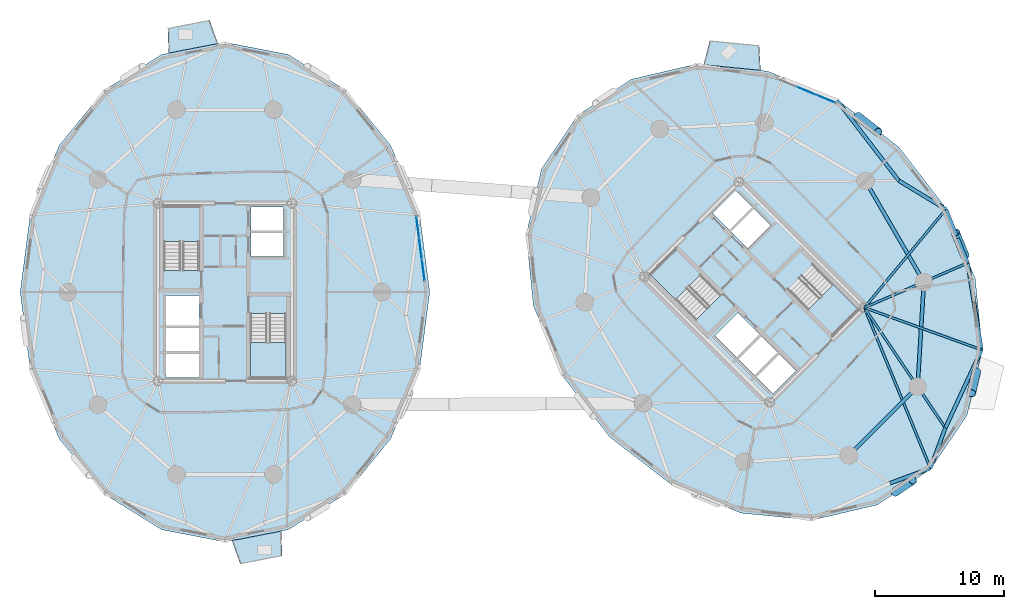
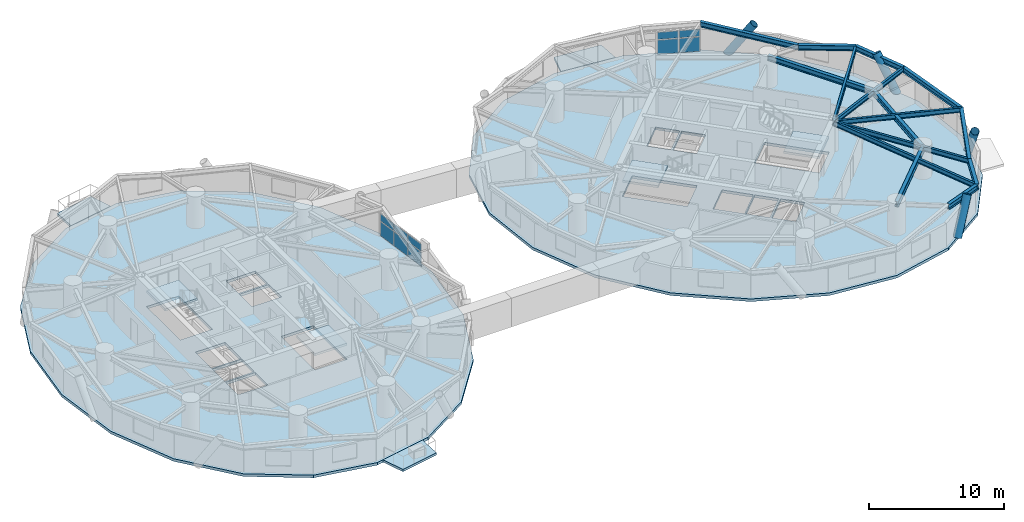
# One storey, part 8 of 18: 15 beams, 10 plates, 9 slabs, 4 members, 6 elements without a shape of their own.
"""IFC4 building model written with IfcOpenShell, lengths in metres."""

from ifc_helpers import new_model, si_unit, direction, frame, origin, origin_2d, place, context, subcontext, project, spatial, polyline, rectangle, hollow_circle, i_section, outline, extrude, source, transform, mapped, material, layer, layer_set, material_profile, profile_set, type_object, element, aggregate, save


model = new_model("IFC4")

# Units and contexts
model_context = context("Model", 3, precision=1e-05, world=origin(), true_north=direction((0.0, 1.0)))
body_context = subcontext(model_context, "Body", "Model", "MODEL_VIEW")
ifc_project = project(units=[si_unit("LENGTHUNIT", "METRE"), si_unit("AREAUNIT", "SQUARE_METRE"), si_unit("VOLUMEUNIT", "CUBIC_METRE"), si_unit("PLANEANGLEUNIT", "RADIAN"), si_unit("MASSUNIT", "GRAM", prefix="KILO")], contexts=[model_context])

# Site, building, storey
site_placement = place(None, origin())
site = spatial("IfcSite", under=ifc_project, at=site_placement, CompositionType="ELEMENT")
building_placement = place(site_placement, origin())
building = spatial("IfcBuilding", under=site, at=building_placement, Name="Cununo Teusaquillo Station Towers", CompositionType="ELEMENT")
storey_placement = place(building_placement, frame((0.0, 0.0, 122.530029296875)))
storey = spatial("IfcBuildingStorey", under=building, at=storey_placement, Name="L39", CompositionType="ELEMENT", Elevation=122.530029296875)

# Beams
ifc_material_1 = material(Name="Steel ASTM A572 Grade 50", Category="steel")
ifc_material_profile_1 = material_profile(ifc_material_1, i_section(OverallWidth=0.180908203125, OverallDepth=0.4169921875, WebThickness=0.010986328125, FlangeThickness=0.018310546875, FilletRadius=0.012939453125, at=origin_2d()), Name="W16X57")
ifc_profile_set_1 = profile_set([ifc_material_profile_1], Name="Steel ASTM A572 Grade 50")
beam_type_1 = type_object("IfcBeamType", Name="BM-JOIST-1", PredefinedType="JOIST", material=ifc_profile_set_1)
beam_1_placement = place(storey_placement, frame((66.024169921875, 23.29443359375, 2.42138671875), z_axis=(0.380485864505, -0.924786735908, 0.0), x_axis=(0.924786735908, 0.380485864505, 0.0)))
element("IfcBeam", 1, at=beam_1_placement, inside=storey, type_object=beam_type_1, Name="L39 Tower B Radial Spandrel Joist V15", PredefinedType="JOIST", context=body_context, shape_type="SweptSolid", body=[
    extrude(i_section(OverallWidth=0.180908203125, OverallDepth=0.4169921875, WebThickness=0.010986328125, FlangeThickness=0.018310546875, FilletRadius=0.012939453125, at=origin_2d()), origin(), (0.0, 0.0, 1.0), 13.44580078125),
])
beam_2_placement = place(storey_placement, frame((66.024169921875, 23.29443359375, 2.42138671875), z_axis=(0.941082771055, -0.338176312038, 0.0), x_axis=(0.338176312038, 0.941082771055, 0.0)))
element("IfcBeam", 2, at=beam_2_placement, inside=storey, type_object=beam_type_1, Name="L39 Tower B Radial Spandrel Joist V17", PredefinedType="JOIST", context=body_context, shape_type="SweptSolid", body=[
    extrude(i_section(OverallWidth=0.180908203125, OverallDepth=0.4169921875, WebThickness=0.010986328125, FlangeThickness=0.018310546875, FilletRadius=0.012939453125, at=origin_2d()), origin(), (0.0, 0.0, 1.0), 9.646484375),
])
beam_3_placement = place(storey_placement, frame((66.024169921875, 23.29443359375, 2.42138671875), z_axis=(0.638372238196, 0.769727799615, 0.0), x_axis=(-0.769727799615, 0.638372238196, 0.0)))
element("IfcBeam", 3, at=beam_3_placement, inside=storey, type_object=beam_type_1, Name="L39 Tower B Radial Spandrel Joist V19", PredefinedType="JOIST", context=body_context, shape_type="SweptSolid", body=[
    extrude(i_section(OverallWidth=0.180908203125, OverallDepth=0.4169921875, WebThickness=0.010986328125, FlangeThickness=0.018310546875, FilletRadius=0.012939453125, at=origin_2d()), origin(), (0.0, 0.0, 1.0), 9.895263671875),
])
ifc_material_2 = material(Name="Steel ASTM A572 Grade 50", Category="steel")
ifc_material_profile_2 = material_profile(ifc_material_2, i_section(OverallWidth=0.180908203125, OverallDepth=0.4169921875, WebThickness=0.010986328125, FlangeThickness=0.018310546875, FilletRadius=0.012939453125, at=origin_2d()), Name="W16X57")
ifc_profile_set_2 = profile_set([ifc_material_profile_2], Name="Steel ASTM A572 Grade 50")
beam_type_2 = type_object("IfcBeamType", Name="BM-RAD-G2", PredefinedType="BEAM", material=ifc_profile_set_2)
beam_4_placement = place(storey_placement, frame((66.024169921875, 23.29443359375, 2.42138671875), z_axis=(0.558572297481, -0.82945583878, 0.0), x_axis=(0.82945583878, 0.558572297481, 0.0)))
element("IfcBeam", 4, at=beam_4_placement, inside=storey, type_object=beam_type_2, Name="L39 Tower B Continuous Overhanging Radial Girder 09", PredefinedType="BEAM", context=body_context, shape_type="SweptSolid", body=[
    extrude(i_section(OverallWidth=0.180908203125, OverallDepth=0.4169921875, WebThickness=0.010986328125, FlangeThickness=0.018310546875, FilletRadius=0.012939453125, at=origin_2d()), origin(), (0.0, 0.0, 1.0), 11.22998046875),
])
beam_5_placement = place(storey_placement, frame((66.024169921875, 23.29443359375, 2.42138671875), z_axis=(0.917654733344, 0.397378648609, 0.0), x_axis=(-0.397378648609, 0.917654733344, 0.0)))
element("IfcBeam", 5, at=beam_5_placement, inside=storey, type_object=beam_type_2, Name="L39 Tower B Continuous Overhanging Radial Girder 10", PredefinedType="BEAM", context=body_context, shape_type="SweptSolid", body=[
    extrude(i_section(OverallWidth=0.180908203125, OverallDepth=0.4169921875, WebThickness=0.010986328125, FlangeThickness=0.018310546875, FilletRadius=0.012939453125, at=origin_2d()), origin(), (0.0, 0.0, 1.0), 8.71484375),
])
ifc_material_3 = material(Name="Steel ASTM A572 Grade 50", Category="steel")
ifc_material_profile_3 = material_profile(ifc_material_3, i_section(OverallWidth=0.280029296875, OverallDepth=0.462890625, WebThickness=0.0107421875, FlangeThickness=0.017333984375, FilletRadius=0.013916015625, at=origin_2d()), Name="W18X76")
ifc_profile_set_3 = profile_set([ifc_material_profile_3], Name="Steel ASTM A572 Grade 50")
beam_type_3 = type_object("IfcBeamType", Name="BM-RING-Z2", PredefinedType="SPANDREL", material=ifc_profile_set_3)
beam_6_placement = place(storey_placement, frame((64.826904296875, 11.853759765625, 2.3984375), z_axis=(0.707106781187, 0.707106781187, 0.0), x_axis=(-0.707106781187, 0.707106781187, 0.0)))
element("IfcBeam", 6, at=beam_6_placement, inside=storey, type_object=beam_type_3, Name="L39 Tower B Structural Column Ring Girder 08", PredefinedType="SPANDREL", context=body_context, shape_type="SweptSolid", body=[
    extrude(i_section(OverallWidth=0.280029296875, OverallDepth=0.462890625, WebThickness=0.0107421875, FlangeThickness=0.017333984375, FilletRadius=0.013916015625, at=origin_2d()), origin(), (0.0, 0.0, 1.0), 7.522705078125),
])
beam_7_placement = place(storey_placement, frame((70.146240234375, 17.173095703125, 2.3984375), z_axis=(0.06012979176, 0.998190567048, 0.0), x_axis=(-0.998190567048, 0.06012979176, 0.0)))
element("IfcBeam", 7, at=beam_7_placement, inside=storey, type_object=beam_type_3, Name="L39 Tower B Structural Column Ring Girder 09", PredefinedType="SPANDREL", context=body_context, shape_type="SweptSolid", body=[
    extrude(i_section(OverallWidth=0.280029296875, OverallDepth=0.462890625, WebThickness=0.0107421875, FlangeThickness=0.017333984375, FilletRadius=0.013916015625, at=origin_2d()), origin(), (0.0, 0.0, 1.0), 8.132568359375),
])
beam_8_placement = place(storey_placement, frame((70.63525390625, 25.291015625, 2.3984375), z_axis=(-0.501311121078, 0.865267103202, 0.0), x_axis=(-0.865267103202, -0.501311121078, 0.0)))
element("IfcBeam", 8, at=beam_8_placement, inside=storey, type_object=beam_type_3, Name="L39 Tower B Structural Column Ring Girder 10", PredefinedType="SPANDREL", context=body_context, shape_type="SweptSolid", body=[
    extrude(i_section(OverallWidth=0.280029296875, OverallDepth=0.462890625, WebThickness=0.0107421875, FlangeThickness=0.017333984375, FilletRadius=0.013916015625, at=origin_2d()), origin(), (0.0, 0.0, 1.0), 9.032958984375),
])
beam_9_placement = place(storey_placement, frame((68.694580078125, 33.12890625, 2.3984375), z_axis=(-0.610100441726, 0.792324082056, 0.0), x_axis=(-0.792324082056, -0.610100441726, 0.0)))
element("IfcBeam", 9, at=beam_9_placement, inside=storey, type_object=beam_type_3, Name="L39 Tower B Spandrel Ring Beam 01", PredefinedType="SPANDREL", context=body_context, shape_type="SweptSolid", body=[
    extrude(i_section(OverallWidth=0.280029296875, OverallDepth=0.462890625, WebThickness=0.0107421875, FlangeThickness=0.017333984375, FilletRadius=0.013916015625, at=origin_2d()), origin(), (0.0, 0.0, 1.0), 7.84033203125),
])
for number, where, z_axis, x_axis, name in (
    (10, (68.020263671875, 9.703125, 2.3984375), (0.937628334414, 0.347639333943, 0.0), (-0.347639333943, 0.937628334414, 0.0), "L39 Tower B Spandrel Ring Beam 15"),
    (11, (71.14013671875, 10.85986328125, 2.3984375), (0.347639333943, 0.937628334414, 0.0), (-0.937628334414, 0.347639333943, 0.0), "L39 Tower B Spandrel Ring Beam 16"),
):
    element("IfcBeam", number, at=place(storey_placement, frame(where, z_axis=z_axis, x_axis=x_axis)), inside=storey, type_object=beam_type_3, Name=name, PredefinedType="SPANDREL", context=body_context, shape_type="SweptSolid", body=[
        extrude(i_section(OverallWidth=0.280029296875, OverallDepth=0.462890625, WebThickness=0.0107421875, FlangeThickness=0.017333984375, FilletRadius=0.013916015625, at=origin_2d()), origin(), (0.0, 0.0, 1.0), 3.327392578125),
    ])
beam_10_placement = place(storey_placement, frame((72.296875, 13.979736328125, 2.3984375), z_axis=(0.420535961689, 0.907275870354, 0.0), x_axis=(-0.907275870354, 0.420535961689, 0.0)))
element("IfcBeam", 12, at=beam_10_placement, inside=storey, type_object=beam_type_3, Name="L39 Tower B Spandrel Ring Beam 17", PredefinedType="SPANDREL", context=body_context, shape_type="SweptSolid", body=[
    extrude(i_section(OverallWidth=0.280029296875, OverallDepth=0.462890625, WebThickness=0.0107421875, FlangeThickness=0.017333984375, FilletRadius=0.013916015625, at=origin_2d()), origin(), (0.0, 0.0, 1.0), 6.671142578125),
])
beam_11_placement = place(storey_placement, frame((75.102294921875, 20.0322265625, 2.3984375), z_axis=(-0.158671232312, 0.987331474246, 0.0), x_axis=(-0.987331474246, -0.158671232312, 0.0)))
element("IfcBeam", 13, at=beam_11_placement, inside=storey, type_object=beam_type_3, Name="L39 Tower B Spandrel Ring Beam 18", PredefinedType="SPANDREL", context=body_context, shape_type="SweptSolid", body=[
    extrude(i_section(OverallWidth=0.280029296875, OverallDepth=0.462890625, WebThickness=0.0107421875, FlangeThickness=0.017333984375, FilletRadius=0.013916015625, at=origin_2d()), origin(), (0.0, 0.0, 1.0), 6.8115234375),
])
beam_12_placement = place(storey_placement, frame((74.021484375, 26.757568359375, 2.3984375), z_axis=(-0.375042266631, 0.927007712072, 0.0), x_axis=(-0.927007712072, -0.375042266631, 0.0)))
element("IfcBeam", 14, at=beam_12_placement, inside=storey, type_object=beam_type_3, Name="L39 Tower B Spandrel Ring Beam 19", PredefinedType="SPANDREL", context=body_context, shape_type="SweptSolid", body=[
    extrude(i_section(OverallWidth=0.280029296875, OverallDepth=0.462890625, WebThickness=0.0107421875, FlangeThickness=0.017333984375, FilletRadius=0.013916015625, at=origin_2d()), origin(), (0.0, 0.0, 1.0), 4.480712890625),
])
beam_13_placement = place(storey_placement, frame((72.341064453125, 30.9111328125, 2.3984375), z_axis=(-0.854388492444, 0.519634779416, 0.0), x_axis=(-0.519634779416, -0.854388492444, 0.0)))
element("IfcBeam", 15, at=beam_13_placement, inside=storey, type_object=beam_type_3, Name="L39 Tower B Spandrel Ring Beam 20", PredefinedType="SPANDREL", context=body_context, shape_type="SweptSolid", body=[
    extrude(i_section(OverallWidth=0.280029296875, OverallDepth=0.462890625, WebThickness=0.0107421875, FlangeThickness=0.017333984375, FilletRadius=0.013916015625, at=origin_2d()), origin(), (0.0, 0.0, 1.0), 4.26806640625),
])

# Members
ifc_material_4 = material(Name="Steel EN 10025-2 S355J2", Category="steel")
ifc_material_profile_4 = material_profile(ifc_material_4, hollow_circle(Radius=0.330078125, WallThickness=0.02490234375, at=origin_2d()), Name="CHS 660x25")
ifc_profile_set_4 = profile_set([ifc_material_profile_4], Name="Steel EN 10025-2 S355J2")
member_type = type_object("IfcMemberType", Name="MBR-DIAG-Z2", PredefinedType="BRACE", material=ifc_profile_set_4)
member_1_placement = place(storey_placement, frame((65.498291015625, 38.118408203125, -0.14013671875), z_axis=(0.449277419576, -0.346044496653, 0.823652236442), x_axis=(0.610205273886, 0.792243348803, 0.0)))
element("IfcMember", 16, at=member_1_placement, inside=storey, type_object=member_type, Name="L39 Tower B Folded-Zigzag Diagrid Tube C00", PredefinedType="BRACE", context=body_context, shape_type="SweptSolid", body=[
    extrude(hollow_circle(Radius=0.330078125, WallThickness=0.02490234375, at=origin_2d()), origin(), (0.0, 0.0, 1.0), 3.533203125),
])
member_2_placement = place(storey_placement, frame((68.393310546875, 9.003173828125, -0.14013671875), z_axis=(0.410046606979, 0.277155057731, 0.868934320924), x_axis=(-0.559991322854, 0.828498472134, 0.0)))
element("IfcMember", 17, at=member_2_placement, inside=storey, type_object=member_type, Name="L39 Tower B Folded-Zigzag Diagrid Tube C14", PredefinedType="BRACE", context=body_context, shape_type="SweptSolid", body=[
    extrude(hollow_circle(Radius=0.330078125, WallThickness=0.02490234375, at=origin_2d()), origin(), (0.0, 0.0, 1.0), 3.34912109375),
])
member_3_placement = place(storey_placement, frame((74.7099609375, 18.348388671875, -0.14013671875), z_axis=(-0.115899426578, -0.497494862811, 0.859689586069), x_axis=(0.973920299704, -0.226890391653, 0.0)))
element("IfcMember", 18, at=member_3_placement, inside=storey, type_object=member_type, Name="L39 Tower B Folded-Zigzag Diagrid Tube C16", PredefinedType="BRACE", context=body_context, shape_type="SweptSolid", body=[
    extrude(hollow_circle(Radius=0.330078125, WallThickness=0.02490234375, at=origin_2d()), origin(), (0.0, 0.0, 1.0), 3.385009765625),
])
member_4_placement = place(storey_placement, frame((73.818115234375, 27.318115234375, -0.14013671875), z_axis=(-0.211081064796, 0.513432884221, 0.831764063593), x_axis=(-0.924888817599, -0.380237656053, 0.0)))
element("IfcMember", 19, at=member_4_placement, inside=storey, type_object=member_type, Name="L39 Tower B Folded-Zigzag Diagrid Tube C18", PredefinedType="BRACE", context=body_context, shape_type="SweptSolid", body=[
    extrude(hollow_circle(Radius=0.330078125, WallThickness=0.02490234375, at=origin_2d()), origin(), (0.0, 0.0, 1.0), 3.498779296875),
])

# Slabs
ifc_material_5 = material(Name="Concrete C50/60", Category="concrete")
ifc_layer_1 = layer(ifc_material_5, 0.2099609375)
ifc_layer_set_1 = layer_set([ifc_layer_1], Name="Concrete C50/60")
slab_type_1 = type_object("IfcSlabType", Name="SLB-BAL-210", PredefinedType="FLOOR", material=ifc_layer_set_1)
slab_1_placement = place(storey_placement, frame((0.0, 0.0, -0.2099609375)))
element("IfcSlab", 20, at=slab_1_placement, inside=storey, type_object=slab_type_1, Name="L39 Tower A Tree Balcony Slab 1", PredefinedType="FLOOR", context=body_context, shape_type="SweptSolid", body=[
    extrude(outline(polyline([(15.958984375, 43.75048828125), (12.1376953125, 43.01220703125), (12.069091796875, 44.94921875), (15.30126953125, 45.573974609375), (15.958984375, 43.75048828125)])), origin(), (0.0, 0.0, 1.0), 0.2099609375),
])
slab_2_placement = place(storey_placement, frame((0.0, 0.0, -0.2099609375)))
element("IfcSlab", 21, at=slab_2_placement, inside=storey, type_object=slab_type_1, Name="L39 Tower A Tree Balcony Slab 2", PredefinedType="FLOOR", context=body_context, shape_type="SweptSolid", body=[
    extrude(outline(polyline([(17.041015625, 5.24951171875), (20.8623046875, 5.98779296875), (20.930908203125, 4.05078125), (17.69873046875, 3.426025390625), (17.041015625, 5.24951171875)])), origin(), (0.0, 0.0, 1.0), 0.2099609375),
])
slab_3_placement = place(storey_placement, frame((0.0, 0.0, -0.2099609375)))
element("IfcSlab", 22, at=slab_3_placement, inside=storey, type_object=slab_type_1, Name="L39 Tower B Tree Balcony Slab 1", PredefinedType="FLOOR", context=body_context, shape_type="SweptSolid", body=[
    extrude(outline(polyline([(57.984375, 41.675048828125), (53.57080078125, 42.1123046875), (54.05810546875, 43.988525390625), (57.87451171875, 43.6103515625), (57.984375, 41.675048828125)])), origin(), (0.0, 0.0, 1.0), 0.2099609375),
])

# Stair, slab
ifc_material_6 = material(Name="Concrete C50/60", Category="concrete")
stair_type = type_object("IfcStairType", Name="ST-TWR-1300", PredefinedType="HALF_TURN_STAIR", material=ifc_material_6)
stair_1_placement = place(storey_placement, origin())
stair_1 = element("IfcStair", 23, at=stair_1_placement, inside=storey, type_object=stair_type, Name="L39 Tower A Protected Core Exit Stair 1", PredefinedType="HALF_TURN_STAIR")
ifc_material_7 = material(Name="Concrete C50/60", Category="concrete")
ifc_layer_2 = layer(ifc_material_7, 0.199951171875)
ifc_layer_set_2 = layer_set([ifc_layer_2], Name="Concrete C50/60")
slab_type_2 = type_object("IfcSlabType", Name="SLB-STAIR-LND", PredefinedType="LANDING", material=ifc_layer_set_2)
slab_4_placement = place(storey_placement, frame((0.0, 0.0, 1.2548828125)))
slab_4 = element("IfcSlab", 24, at=slab_4_placement, type_object=slab_type_2, Name="ST-T1-1 landing 1", PredefinedType="LANDING", context=body_context, shape_type="SweptSolid", body=[
    extrude(outline(polyline([(14.52001953125, 28.409912109375), (14.52001953125, 31.159912109375), (11.760009765625, 31.159912109375), (11.760009765625, 28.409912109375), (14.52001953125, 28.409912109375)])), origin(), (0.0, 0.0, 1.0), 0.2001953125),
])
aggregate(stair_1, [slab_4])

stair_2_placement = place(storey_placement, origin())
stair_2 = element("IfcStair", 25, at=stair_2_placement, inside=storey, type_object=stair_type, Name="L39 Tower A Protected Core Exit Stair 2", PredefinedType="HALF_TURN_STAIR")
slab_5_placement = place(storey_placement, frame((0.0, 0.0, 1.2548828125)))
slab_5 = element("IfcSlab", 26, at=slab_5_placement, type_object=slab_type_2, Name="ST-T1-2 landing 1", PredefinedType="LANDING", context=body_context, shape_type="SweptSolid", body=[
    extrude(outline(polyline([(18.47998046875, 20.590087890625), (18.47998046875, 17.840087890625), (21.239990234375, 17.840087890625), (21.239990234375, 20.590087890625), (18.47998046875, 20.590087890625)])), origin(), (0.0, 0.0, 1.0), 0.2001953125),
])
aggregate(stair_2, [slab_5])

stair_3_placement = place(storey_placement, origin())
stair_3 = element("IfcStair", 27, at=stair_3_placement, inside=storey, type_object=stair_type, Name="L39 Tower B Protected Core Exit Stair 1", PredefinedType="HALF_TURN_STAIR")
slab_6_placement = place(storey_placement, frame((0.0, 0.0, 1.2548828125)))
slab_6 = element("IfcSlab", 28, at=slab_6_placement, type_object=slab_type_2, Name="ST-T2-1 landing 1", PredefinedType="LANDING", context=body_context, shape_type="SweptSolid", body=[
    extrude(outline(polyline([(53.335205078125, 25.86474609375), (51.390625, 27.809326171875), (49.43896484375, 25.857666015625), (51.383544921875, 23.9130859375), (53.335205078125, 25.86474609375)])), origin(), (0.0, 0.0, 1.0), 0.2001953125),
])
aggregate(stair_3, [slab_6])

stair_4_placement = place(storey_placement, origin())
stair_4 = element("IfcStair", 29, at=stair_4_placement, inside=storey, type_object=stair_type, Name="L39 Tower B Protected Core Exit Stair 2", PredefinedType="HALF_TURN_STAIR")
slab_7_placement = place(storey_placement, frame((0.0, 0.0, 1.2548828125)))
slab_7 = element("IfcSlab", 30, at=slab_7_placement, type_object=slab_type_2, Name="ST-T2-2 landing 1", PredefinedType="LANDING", context=body_context, shape_type="SweptSolid", body=[
    extrude(outline(polyline([(61.664794921875, 23.13525390625), (63.609375, 21.190673828125), (65.56103515625, 23.142333984375), (63.616455078125, 25.0869140625), (61.664794921875, 23.13525390625)])), origin(), (0.0, 0.0, 1.0), 0.2001953125),
])
aggregate(stair_4, [slab_7])

# Slabs
ifc_material_8 = material(Name="Concrete C40/50", Category="concrete")
ifc_layer_3 = layer(ifc_material_8, 0.239990234375)
ifc_layer_set_3 = layer_set([ifc_layer_3], Name="Concrete C40/50")
slab_type_3 = type_object("IfcSlabType", Name="SLB-Z2-240", PredefinedType="FLOOR", material=ifc_layer_set_3)
slab_8_placement = place(storey_placement, frame((0.0, 0.0, -0.239990234375)))
element("IfcSlab", 31, at=slab_8_placement, inside=storey, type_object=slab_type_3, Name="L39 Tower A Floor Slab", PredefinedType="FLOOR", context=body_context, shape_type="SweptSolid", body=[
    extrude(outline(polyline([(32.361083984375, 24.5), (31.584716796875, 30.4794921875), (29.331787109375, 35.87353515625), (25.822998046875, 40.154541015625), (21.4013671875, 42.90283203125), (16.5, 43.85009765625), (11.5986328125, 42.90283203125), (7.177001953125, 40.154541015625), (3.668212890625, 35.87353515625), (1.415283203125, 30.4794921875), (0.638916015625, 24.5), (1.415283203125, 18.5205078125), (3.668212890625, 13.12646484375), (7.177001953125, 8.845458984375), (11.5986328125, 6.09716796875), (16.5, 5.14990234375), (21.4013671875, 6.09716796875), (25.822998046875, 8.845458984375), (29.331787109375, 13.12646484375), (31.584716796875, 18.5205078125), (32.361083984375, 24.5)]), holes=[polyline([(14.52001953125, 26.176025390625), (14.52001953125, 31.159912109375), (11.760009765625, 31.159912109375), (11.760009765625, 26.176025390625), (14.52001953125, 26.176025390625)]), polyline([(18.47998046875, 22.823974609375), (18.47998046875, 17.840087890625), (21.239990234375, 17.840087890625), (21.239990234375, 22.823974609375), (18.47998046875, 22.823974609375)]), polyline([(11.949951171875, 21.85009765625), (14.47998046875, 21.85009765625), (14.47998046875, 24.25), (11.949951171875, 24.25), (11.949951171875, 21.85009765625)]), polyline([(11.949951171875, 17.89990234375), (14.47998046875, 17.89990234375), (14.47998046875, 19.75), (11.949951171875, 19.75), (11.949951171875, 17.89990234375)]), polyline([(11.949951171875, 19.89990234375), (14.47998046875, 19.89990234375), (14.47998046875, 21.75), (11.949951171875, 21.75), (11.949951171875, 19.89990234375)]), polyline([(18.52001953125, 27.25), (21.050048828125, 27.25), (21.050048828125, 29.10009765625), (18.52001953125, 29.10009765625), (18.52001953125, 27.25)]), polyline([(18.52001953125, 29.25), (21.050048828125, 29.25), (21.050048828125, 31.10009765625), (18.52001953125, 31.10009765625), (18.52001953125, 29.25)])]), origin(), (0.0, 0.0, 1.0), 0.239990234375),
])
slab_9_placement = place(storey_placement, frame((0.0, 0.0, -0.239990234375)))
element("IfcSlab", 32, at=slab_9_placement, inside=storey, type_object=slab_type_3, Name="L39 Tower B Floor Slab", PredefinedType="FLOOR", context=body_context, shape_type="SweptSolid", body=[
    extrude(outline(polyline([(68.71533203125, 35.71533203125), (63.938232421875, 39.39453125), (58.531005859375, 41.61572265625), (53.02294921875, 42.16162109375), (47.952880859375, 40.978515625), (43.8173828125, 38.1826171875), (41.021484375, 34.047119140625), (39.83837890625, 28.97705078125), (40.38427734375, 23.468994140625), (42.60546875, 18.061767578125), (46.28466796875, 13.28466796875), (51.061767578125, 9.60546875), (56.468994140625, 7.38427734375), (61.97705078125, 6.83837890625), (67.047119140625, 8.021484375), (71.1826171875, 10.8173828125), (73.978515625, 14.952880859375), (75.16162109375, 20.02294921875), (74.61572265625, 25.531005859375), (72.39453125, 30.938232421875), (68.71533203125, 35.71533203125)]), holes=[polyline([(54.914794921875, 24.28515625), (51.390625, 27.809326171875), (49.43896484375, 25.857666015625), (52.963134765625, 22.33349609375), (54.914794921875, 24.28515625)]), polyline([(60.085205078125, 24.71484375), (63.609375, 21.190673828125), (65.56103515625, 23.142333984375), (62.036865234375, 26.66650390625), (60.085205078125, 24.71484375)]), polyline([(56.156494140625, 19.40869140625), (57.945556640625, 21.19775390625), (56.248291015625, 22.89501953125), (54.45947265625, 21.10595703125), (56.156494140625, 19.40869140625)]), polyline([(58.94970703125, 16.61572265625), (60.738525390625, 18.40478515625), (59.430419921875, 19.712890625), (57.641357421875, 17.923828125), (58.94970703125, 16.61572265625)]), polyline([(57.535400390625, 18.030029296875), (59.32421875, 19.819091796875), (58.01611328125, 21.127197265625), (56.227294921875, 19.338134765625), (57.535400390625, 18.030029296875)]), polyline([(56.98388671875, 27.872802734375), (58.772705078125, 29.661865234375), (57.464599609375, 30.969970703125), (55.67578125, 29.180908203125), (56.98388671875, 27.872802734375)]), polyline([(55.569580078125, 29.287109375), (57.358642578125, 31.076171875), (56.05029296875, 32.38427734375), (54.261474609375, 30.59521484375), (55.569580078125, 29.287109375)])]), origin(), (0.0, 0.0, 1.0), 0.239990234375),
])

# Curtain wall, plates
ifc_material_9 = material(Name="Ceramic-fritted dark low-E double glazing", Category="glass")
ifc_layer_4 = layer(ifc_material_9, 0.179931640625)
ifc_layer_set_4 = layer_set([ifc_layer_4], Name="Ceramic-fritted dark low-E double glazing")
curtain_wall_type = type_object("IfcCurtainWallType", Name="CW-SYS-04", PredefinedType="USERDEFINED", material=ifc_layer_set_4)
curtain_wall_1_placement = place(storey_placement, origin())
curtain_wall_1 = element("IfcCurtainWall", 33, at=curtain_wall_1_placement, inside=storey, type_object=curtain_wall_type, Name="L39 Tower A Facade Curtain Wall C00", ObjectType="FRITTED GLAZING", PredefinedType="USERDEFINED")
ifc_material_10 = material(Name="Ceramic-fritted dark low-E double glazing", Category="glass")
ifc_layer_5 = layer(ifc_material_10, 0.028076171875)
ifc_layer_set_5 = layer_set([ifc_layer_5], Name="Ceramic-fritted dark low-E double glazing")
plate_type = type_object("IfcPlateType", Name="CWP-FRIT-28", PredefinedType="CURTAIN_PANEL", material=ifc_layer_set_5)
shared_shape_1 = source(origin(), body_context, "Body", "SweptSolid", [
    extrude(rectangle(XDim=1.59228515625, YDim=0.028076171875, at=origin_2d()), origin(), (0.0, 0.0, 1.0), 1.284912109375),
])
plate_1_placement = place(storey_placement, frame((31.429443359375, 29.533935546875, 0.06982421875), z_axis=(0.0, 0.0, 1.0), x_axis=(0.128335852387, -0.991730764367, 0.0)))
plate_1 = element("IfcPlate", 34, at=plate_1_placement, type_object=plate_type, Name="CW-04 panel 1.1", PredefinedType="CURTAIN_PANEL", context=body_context, shape_type="MappedRepresentation", body=[
    mapped(shared_shape_1, transform((0.0, 0.0, 0.0), x_axis=(1.0, 0.0, 0.0), y_axis=(0.0, 1.0, 0.0), z_axis=(0.0, 0.0, 1.0), scale=1.0)),
])
plate_2_placement = place(storey_placement, frame((31.86083984375, 26.201904296875, 0.06982421875), z_axis=(0.0, 0.0, 1.0), x_axis=(0.128335852387, -0.991730764367, 0.0)))
plate_2 = element("IfcPlate", 35, at=plate_2_placement, type_object=plate_type, Name="CW-04 panel 3.1", PredefinedType="CURTAIN_PANEL", context=body_context, shape_type="MappedRepresentation", body=[
    mapped(shared_shape_1, transform((0.0, 0.0, 0.0), x_axis=(1.0, 0.0, 0.0), y_axis=(0.0, 1.0, 0.0), z_axis=(0.0, 0.0, 1.0), scale=1.0)),
])
shared_shape_2 = source(origin(), body_context, "Body", "SweptSolid", [
    extrude(rectangle(XDim=1.59228515625, YDim=0.028076171875, at=origin_2d()), origin(), (0.0, 0.0, 1.0), 0.64404296875),
])
plate_3_placement = place(storey_placement, frame((31.429443359375, 29.533935546875, 1.425048828125), z_axis=(0.0, 0.0, 1.0), x_axis=(0.128335852387, -0.991730764367, 0.0)))
plate_3 = element("IfcPlate", 36, at=plate_3_placement, type_object=plate_type, Name="CW-04 panel 1.2", PredefinedType="CURTAIN_PANEL", context=body_context, shape_type="MappedRepresentation", body=[
    mapped(shared_shape_2, transform((0.0, 0.0, 0.0), x_axis=(1.0, 0.0, 0.0), y_axis=(0.0, 1.0, 0.0), z_axis=(0.0, 0.0, 1.0), scale=1.0)),
])
plate_4_placement = place(storey_placement, frame((31.86083984375, 26.201904296875, 1.425048828125), z_axis=(0.0, 0.0, 1.0), x_axis=(0.128335852387, -0.991730764367, 0.0)))
plate_4 = element("IfcPlate", 37, at=plate_4_placement, type_object=plate_type, Name="CW-04 panel 3.2", PredefinedType="CURTAIN_PANEL", context=body_context, shape_type="MappedRepresentation", body=[
    mapped(shared_shape_2, transform((0.0, 0.0, 0.0), x_axis=(1.0, 0.0, 0.0), y_axis=(0.0, 1.0, 0.0), z_axis=(0.0, 0.0, 1.0), scale=1.0)),
])
shared_shape_3 = source(origin(), body_context, "Body", "SweptSolid", [
    extrude(rectangle(XDim=1.62744140625, YDim=0.028076171875, at=origin_2d()), origin(), (0.0, 0.0, 1.0), 1.284912109375),
])
plate_5_placement = place(storey_placement, frame((31.645263671875, 27.867919921875, 0.06982421875), z_axis=(0.0, 0.0, 1.0), x_axis=(0.128335852387, -0.991730764367, 0.0)))
plate_5 = element("IfcPlate", 38, at=plate_5_placement, type_object=plate_type, Name="CW-04 panel 2.1", PredefinedType="CURTAIN_PANEL", context=body_context, shape_type="MappedRepresentation", body=[
    mapped(shared_shape_3, transform((0.0, 0.0, 0.0), x_axis=(1.0, 0.0, 0.0), y_axis=(0.0, 1.0, 0.0), z_axis=(0.0, 0.0, 1.0), scale=1.0)),
])
shared_shape_4 = source(origin(), body_context, "Body", "SweptSolid", [
    extrude(rectangle(XDim=1.62744140625, YDim=0.028076171875, at=origin_2d()), origin(), (0.0, 0.0, 1.0), 0.64404296875),
])
plate_6_placement = place(storey_placement, frame((31.645263671875, 27.867919921875, 1.425048828125), z_axis=(0.0, 0.0, 1.0), x_axis=(0.128335852387, -0.991730764367, 0.0)))
plate_6 = element("IfcPlate", 39, at=plate_6_placement, type_object=plate_type, Name="CW-04 panel 2.2", PredefinedType="CURTAIN_PANEL", context=body_context, shape_type="MappedRepresentation", body=[
    mapped(shared_shape_4, transform((0.0, 0.0, 0.0), x_axis=(1.0, 0.0, 0.0), y_axis=(0.0, 1.0, 0.0), z_axis=(0.0, 0.0, 1.0), scale=1.0)),
])
aggregate(curtain_wall_1, [plate_1, plate_3, plate_5, plate_6, plate_2, plate_4])

curtain_wall_2_placement = place(storey_placement, origin())
curtain_wall_2 = element("IfcCurtainWall", 40, at=curtain_wall_2_placement, inside=storey, type_object=curtain_wall_type, Name="L39 Tower B Facade Curtain Wall C01", ObjectType="FRITTED GLAZING", PredefinedType="USERDEFINED")
shared_shape_5 = source(origin(), body_context, "Body", "SweptSolid", [
    extrude(rectangle(XDim=1.531005859375, YDim=0.028076171875, at=origin_2d()), origin(), (0.0, 0.0, 1.0), 1.284912109375),
])
plate_7_placement = place(storey_placement, frame((63.03857421875, 39.463623046875, 0.06982421875), z_axis=(0.0, 0.0, 1.0), x_axis=(0.924562443652, -0.381030560176, 0.0)))
plate_7 = element("IfcPlate", 41, at=plate_7_placement, type_object=plate_type, Name="CW-04 panel 3.1", PredefinedType="CURTAIN_PANEL", context=body_context, shape_type="MappedRepresentation", body=[
    mapped(shared_shape_5, transform((0.0, 0.0, 0.0), x_axis=(1.0, 0.0, 0.0), y_axis=(0.0, 1.0, 0.0), z_axis=(0.0, 0.0, 1.0), scale=1.0)),
])
shared_shape_6 = source(origin(), body_context, "Body", "SweptSolid", [
    extrude(rectangle(XDim=1.531005859375, YDim=0.028076171875, at=origin_2d()), origin(), (0.0, 0.0, 1.0), 0.64404296875),
])
plate_8_placement = place(storey_placement, frame((63.03857421875, 39.463623046875, 1.425048828125), z_axis=(0.0, 0.0, 1.0), x_axis=(0.924562443652, -0.381030560176, 0.0)))
plate_8 = element("IfcPlate", 42, at=plate_8_placement, type_object=plate_type, Name="CW-04 panel 3.2", PredefinedType="CURTAIN_PANEL", context=body_context, shape_type="MappedRepresentation", body=[
    mapped(shared_shape_6, transform((0.0, 0.0, 0.0), x_axis=(1.0, 0.0, 0.0), y_axis=(0.0, 1.0, 0.0), z_axis=(0.0, 0.0, 1.0), scale=1.0)),
])
shared_shape_7 = source(origin(), body_context, "Body", "SweptSolid", [
    extrude(rectangle(XDim=1.566162109375, YDim=0.028076171875, at=origin_2d()), origin(), (0.0, 0.0, 1.0), 1.284912109375),
])
plate_9_placement = place(storey_placement, frame((61.542236328125, 40.080322265625, 0.06982421875), z_axis=(0.0, 0.0, 1.0), x_axis=(0.924562443652, -0.381030560176, 0.0)))
plate_9 = element("IfcPlate", 43, at=plate_9_placement, type_object=plate_type, Name="CW-04 panel 2.1", PredefinedType="CURTAIN_PANEL", context=body_context, shape_type="MappedRepresentation", body=[
    mapped(shared_shape_7, transform((0.0, 0.0, 0.0), x_axis=(1.0, 0.0, 0.0), y_axis=(0.0, 1.0, 0.0), z_axis=(0.0, 0.0, 1.0), scale=1.0)),
])
shared_shape_8 = source(origin(), body_context, "Body", "SweptSolid", [
    extrude(rectangle(XDim=1.566162109375, YDim=0.028076171875, at=origin_2d()), origin(), (0.0, 0.0, 1.0), 0.64404296875),
])
plate_10_placement = place(storey_placement, frame((61.542236328125, 40.080322265625, 1.425048828125), z_axis=(0.0, 0.0, 1.0), x_axis=(0.924562443652, -0.381030560176, 0.0)))
plate_10 = element("IfcPlate", 44, at=plate_10_placement, type_object=plate_type, Name="CW-04 panel 2.2", PredefinedType="CURTAIN_PANEL", context=body_context, shape_type="MappedRepresentation", body=[
    mapped(shared_shape_8, transform((0.0, 0.0, 0.0), x_axis=(1.0, 0.0, 0.0), y_axis=(0.0, 1.0, 0.0), z_axis=(0.0, 0.0, 1.0), scale=1.0)),
])
aggregate(curtain_wall_2, [plate_9, plate_10, plate_7, plate_8])

save(model, "model.ifc")
